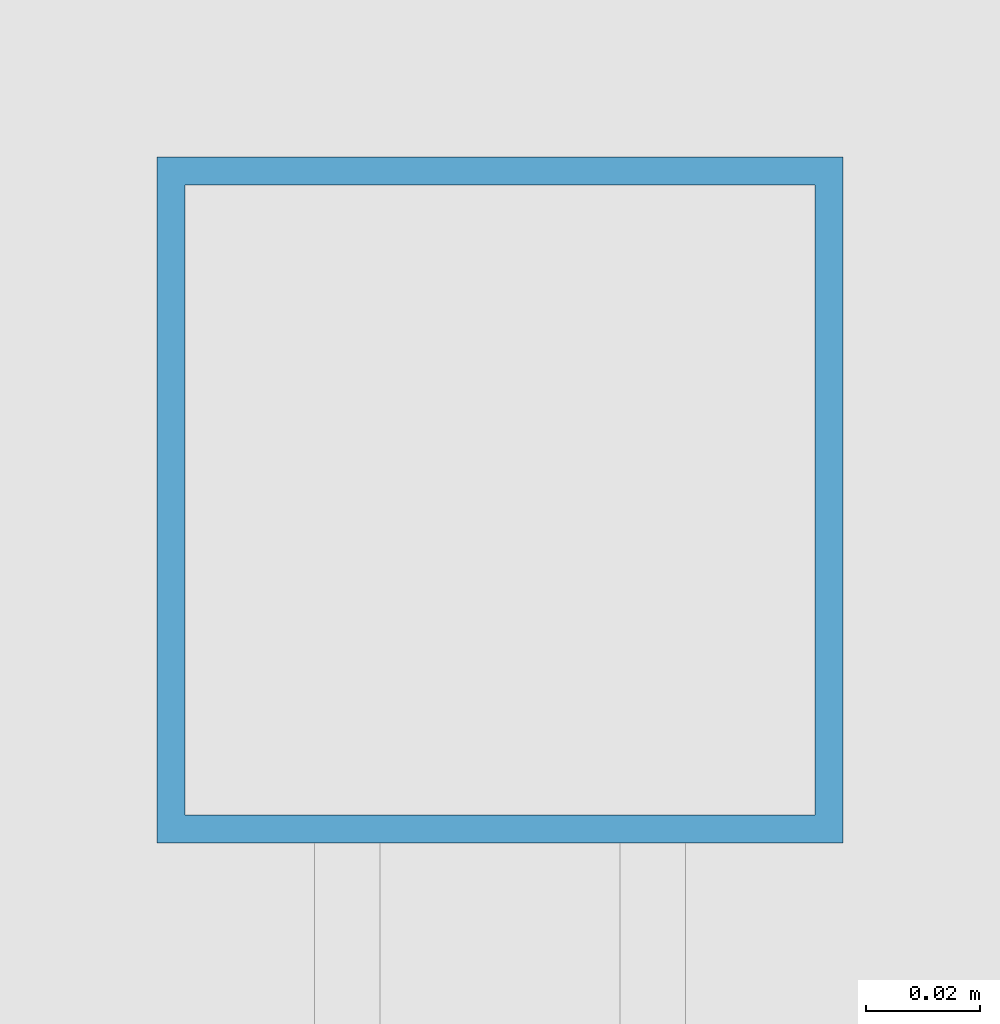
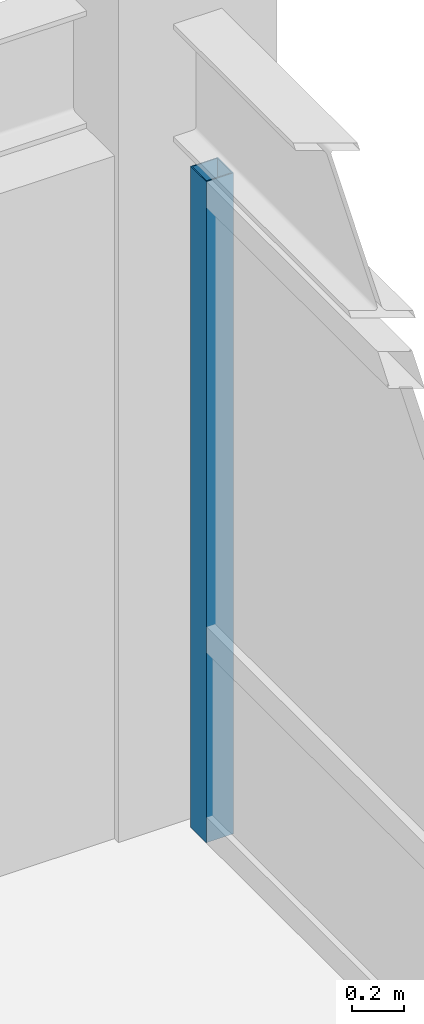
# One storey, part 20 of 29: 1 member, 1 element without a shape of its own.
"""IFC4 building model written with IfcOpenShell, lengths in metres."""

from ifc_helpers import new_model, si_unit, direction, frame, origin, origin_2d, place, context, subcontext, project, spatial, hollow_rectangle, extrude, source, transform, mapped, material, material_profile, profile_set, type_object, element, aggregate, save


model = new_model("IFC4")

# Units and contexts
model_context = context("Model", 3, precision=1e-05, world=origin(), true_north=direction((0.0, 1.0)))
body_context = subcontext(model_context, "Body", "Model", "MODEL_VIEW")
ifc_project = project(units=[si_unit("LENGTHUNIT", "METRE"), si_unit("AREAUNIT", "SQUARE_METRE"), si_unit("VOLUMEUNIT", "CUBIC_METRE"), si_unit("PLANEANGLEUNIT", "RADIAN"), si_unit("MASSUNIT", "GRAM", prefix="KILO")], contexts=[model_context])

# Site, building, storey
site_placement = place(None, origin())
site = spatial("IfcSite", under=ifc_project, at=site_placement, CompositionType="ELEMENT")
building_placement = place(site_placement, origin())
building = spatial("IfcBuilding", under=site, at=building_placement, Name="Khorayat Bourse Tower", CompositionType="ELEMENT")
storey_placement = place(building_placement, frame((0.0, 0.0, 362.300048828125)))
storey = spatial("IfcBuildingStorey", under=building, at=storey_placement, Name="L86", CompositionType="ELEMENT", Elevation=362.300048828125)

# Curtain wall, member
ifc_material = material(Name="Aluminium EN AW-6063 T6", Category="aluminium")
curtain_wall_type = type_object("IfcCurtainWallType", Name="CW-SYS-04", PredefinedType="NOTDEFINED", material=ifc_material)
curtain_wall_placement = place(storey_placement, origin())
curtain_wall = element("IfcCurtainWall", 1, at=curtain_wall_placement, inside=storey, type_object=curtain_wall_type, Name="L86 Curtain Wall CW-L86-E1", PredefinedType="NOTDEFINED")
ifc_material_profile = material_profile(ifc_material, hollow_rectangle(XDim=0.1201171875, YDim=0.1201171875, WallThickness=0.0048828125, at=origin_2d()), Name="ALU 120x120x5")
ifc_profile_set = profile_set([ifc_material_profile], Name="Aluminium EN AW-6063 T6")
member_type = type_object("IfcMemberType", Name="CWM-VERT-120", PredefinedType="MULLION", material=ifc_profile_set)
shared_shape = source(origin(), body_context, "Body", "SweptSolid", [
    extrude(hollow_rectangle(XDim=0.1201171875, YDim=0.1201171875, WallThickness=0.0048828125, at=origin_2d()), origin(), (0.0, 0.0, 1.0), 3.08984375),
])
member_placement = place(storey_placement, frame((26.0, 19.5400390625, 0.0), z_axis=(0.0, 0.0, 1.0), x_axis=(-1.0, 0.0, 0.0)))
member = element("IfcMember", 2, at=member_placement, type_object=member_type, Name="CW-L86-E1 Vertical Mullion 3", PredefinedType="MULLION", context=body_context, shape_type="MappedRepresentation", body=[
    mapped(shared_shape, transform((0.0, 0.0, 0.0), scale=1.0)),
])
aggregate(curtain_wall, [member])

save(model, "model.ifc")
